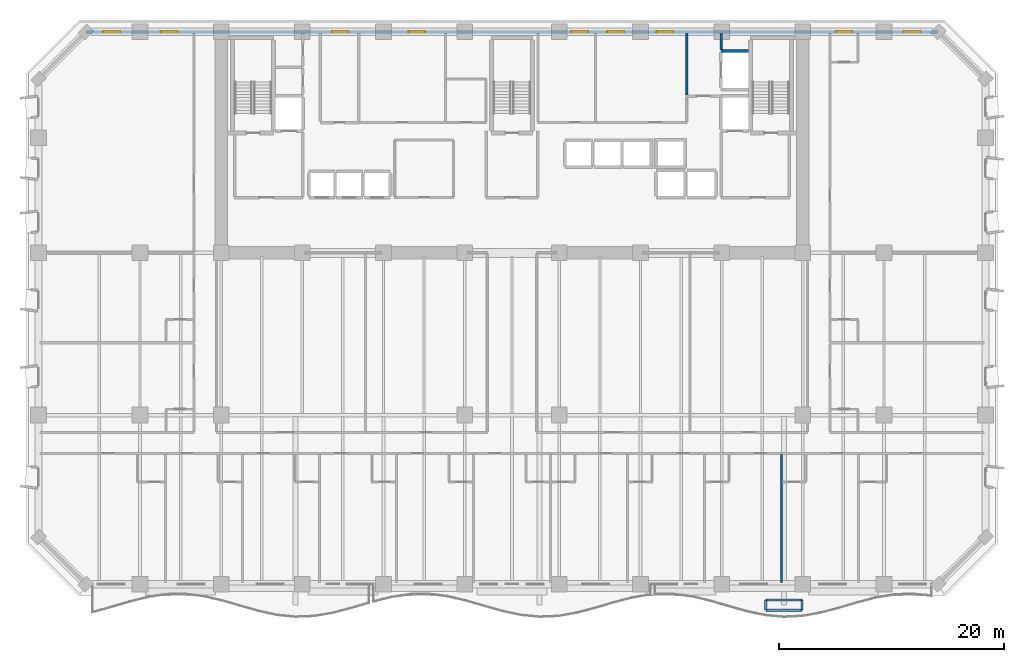
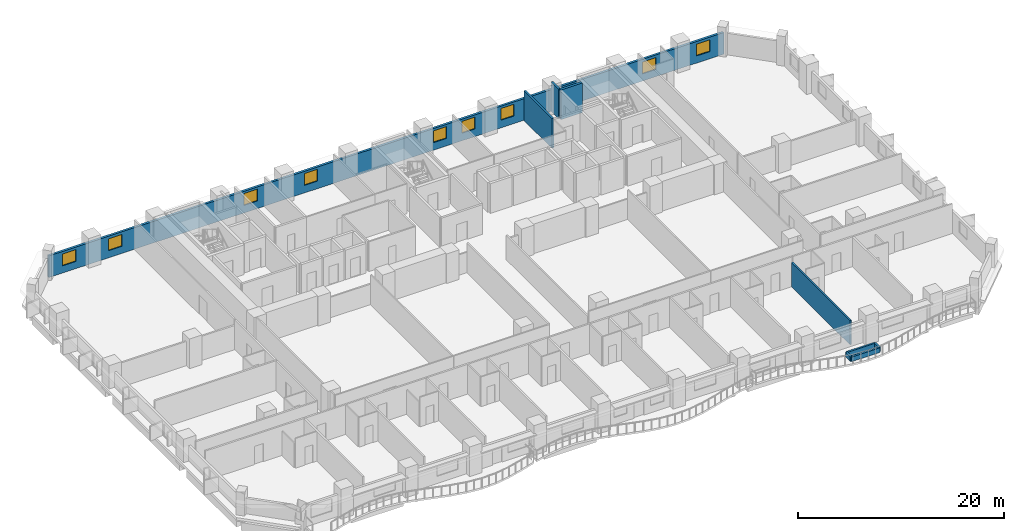
# One storey, part 9 of 15: 9 walls, 9 windows, 9 openings.
"""IFC4 building model written with IfcOpenShell, lengths in metres."""

from ifc_helpers import new_model, si_unit, direction, frame, frame_2d, origin, place, context, subcontext, project, spatial, rectangle, extrude, material, layer, layer_set, type_object, element, fill, save


model = new_model("IFC4")

# Units and contexts
model_context = context("Model", 3, precision=1e-05, world=origin(), true_north=direction((0.0, 1.0)))
body_context = subcontext(model_context, "Body", "Model", "MODEL_VIEW")
ifc_project = project(units=[si_unit("LENGTHUNIT", "METRE"), si_unit("AREAUNIT", "SQUARE_METRE"), si_unit("VOLUMEUNIT", "CUBIC_METRE"), si_unit("PLANEANGLEUNIT", "RADIAN"), si_unit("MASSUNIT", "GRAM", prefix="KILO")], contexts=[model_context])

# Site, building, storey
site_placement = place(None, origin())
site = spatial("IfcSite", under=ifc_project, at=site_placement, CompositionType="ELEMENT")
building_placement = place(site_placement, origin())
building = spatial("IfcBuilding", under=site, at=building_placement, Name="Kaelvorn Grand Hotel", CompositionType="ELEMENT")
storey_placement = place(building_placement, frame((0.0, 0.0, 50.14990234375)))
storey = spatial("IfcBuildingStorey", under=building, at=storey_placement, Name="L10", CompositionType="ELEMENT", Elevation=50.14990234375)

# Wall, openings, windows
ifc_material_1 = material(Name="Concrete C40/50", Category="concrete")
ifc_layer_1 = layer(ifc_material_1, 0.260009765625)
ifc_layer_set_1 = layer_set([ifc_layer_1], Name="Concrete C40/50")
wall_type_1 = type_object("IfcWallType", Name="WL-EXT-260-C40", PredefinedType="SOLIDWALL", material=ifc_layer_set_1)
wall_1_placement = place(storey_placement, frame((79.800048828125, 49.0, 0.0), z_axis=(0.0, 0.0, 1.0), x_axis=(-1.0, 0.0, 0.0)))
wall_1 = element("IfcWall", 1, at=wall_1_placement, inside=storey, type_object=wall_type_1, Name="L10 Exterior Architectural Concrete Wall 05", PredefinedType="SOLIDWALL", context=body_context, shape_type="SweptSolid", body=[
    extrude(rectangle(XDim=75.60009765625, YDim=0.260009765625, at=frame_2d((37.800048828125, 0.0))), origin(), (0.0, 0.0, 1.0), 2.56005859375),
])
opening_1_placement = place(wall_1_placement, frame((72.56494140625, 0.0, 0.85009765625)))
opening_1 = element("IfcOpeningElement", 2, at=opening_1_placement, cuts=wall_1, Name="Opening W10", PredefinedType="OPENING", context=body_context, shape_type="SweptSolid", body=[
    extrude(rectangle(XDim=1.5, YDim=1.39990234375, at=frame_2d((0.75, 0.699951171875))), frame((0.0, 0.14013671875, 0.0), z_axis=(0.0, -1.0, 0.0), x_axis=(1.0, 0.0, 0.0)), (0.0, 0.0, 1.0), 0.280029296875),
])
opening_2_placement = place(wall_1_placement, frame((67.449951171875, 0.0, 0.85009765625)))
opening_2 = element("IfcOpeningElement", 3, at=opening_2_placement, cuts=wall_1, Name="Opening W10", PredefinedType="OPENING", context=body_context, shape_type="SweptSolid", body=[
    extrude(rectangle(XDim=1.5, YDim=1.39990234375, at=frame_2d((0.75, 0.699951171875))), frame((0.0, 0.14013671875, 0.0), z_axis=(0.0, -1.0, 0.0), x_axis=(1.0, 0.0, 0.0)), (0.0, 0.0, 1.0), 0.280029296875),
])
opening_3_placement = place(wall_1_placement, frame((7.60009765625, 0.0, 0.85009765625)))
opening_3 = element("IfcOpeningElement", 4, at=opening_3_placement, cuts=wall_1, Name="Opening W10", PredefinedType="OPENING", context=body_context, shape_type="SweptSolid", body=[
    extrude(rectangle(XDim=1.5, YDim=1.39990234375, at=frame_2d((0.75, 0.699951171875))), frame((0.0, 0.14013671875, 0.0), z_axis=(0.0, -1.0, 0.0), x_axis=(1.0, 0.0, 0.0)), (0.0, 0.0, 1.0), 0.280029296875),
])
opening_4_placement = place(wall_1_placement, frame((1.534912109375, 0.0, 0.85009765625)))
opening_4 = element("IfcOpeningElement", 5, at=opening_4_placement, cuts=wall_1, Name="Opening W10", PredefinedType="OPENING", context=body_context, shape_type="SweptSolid", body=[
    extrude(rectangle(XDim=1.5, YDim=1.39990234375, at=frame_2d((0.75, 0.699951171875))), frame((0.0, 0.14013671875, 0.0), z_axis=(0.0, -1.0, 0.0), x_axis=(1.0, 0.0, 0.0)), (0.0, 0.0, 1.0), 0.280029296875),
])
opening_5_placement = place(wall_1_placement, frame((52.264892578125, 0.0, 0.89990234375)))
opening_5 = element("IfcOpeningElement", 6, at=opening_5_placement, cuts=wall_1, Name="Opening W10", PredefinedType="OPENING", context=body_context, shape_type="SweptSolid", body=[
    extrude(rectangle(XDim=1.5, YDim=1.39990234375, at=frame_2d((0.75, 0.699951171875))), frame((0.0, 0.14013671875, 0.0), z_axis=(0.0, -1.0, 0.0), x_axis=(1.0, 0.0, 0.0)), (0.0, 0.0, 1.0), 0.280029296875),
])
opening_6_placement = place(wall_1_placement, frame((45.5, 0.0, 0.89990234375)))
opening_6 = element("IfcOpeningElement", 7, at=opening_6_placement, cuts=wall_1, Name="Opening W10", PredefinedType="OPENING", context=body_context, shape_type="SweptSolid", body=[
    extrude(rectangle(XDim=1.5, YDim=1.39990234375, at=frame_2d((0.75, 0.699951171875))), frame((0.0, 0.14013671875, 0.0), z_axis=(0.0, -1.0, 0.0), x_axis=(1.0, 0.0, 0.0)), (0.0, 0.0, 1.0), 0.280029296875),
])
opening_7_placement = place(wall_1_placement, frame((31.050048828125, 0.0, 0.89990234375)))
opening_7 = element("IfcOpeningElement", 8, at=opening_7_placement, cuts=wall_1, Name="Opening W10", PredefinedType="OPENING", context=body_context, shape_type="SweptSolid", body=[
    extrude(rectangle(XDim=1.5, YDim=1.39990234375, at=frame_2d((0.75, 0.699951171875))), frame((0.0, 0.14013671875, 0.0), z_axis=(0.0, -1.0, 0.0), x_axis=(1.0, 0.0, 0.0)), (0.0, 0.0, 1.0), 0.280029296875),
])
opening_8_placement = place(wall_1_placement, frame((27.85009765625, 0.0, 0.89990234375)))
opening_8 = element("IfcOpeningElement", 9, at=opening_8_placement, cuts=wall_1, Name="Opening W10", PredefinedType="OPENING", context=body_context, shape_type="SweptSolid", body=[
    extrude(rectangle(XDim=1.5, YDim=1.39990234375, at=frame_2d((0.75, 0.699951171875))), frame((0.0, 0.14013671875, 0.0), z_axis=(0.0, -1.0, 0.0), x_axis=(1.0, 0.0, 0.0)), (0.0, 0.0, 1.0), 0.280029296875),
])
opening_9_placement = place(wall_1_placement, frame((23.485107421875, 0.0, 0.89990234375)))
opening_9 = element("IfcOpeningElement", 10, at=opening_9_placement, cuts=wall_1, Name="Opening W10", PredefinedType="OPENING", context=body_context, shape_type="SweptSolid", body=[
    extrude(rectangle(XDim=1.5, YDim=1.39990234375, at=frame_2d((0.75, 0.699951171875))), frame((0.0, 0.14013671875, 0.0), z_axis=(0.0, -1.0, 0.0), x_axis=(1.0, 0.0, 0.0)), (0.0, 0.0, 1.0), 0.280029296875),
])
ifc_material_2 = material(Name="Laminated Low-E Glass", Category="glass")
window_type = type_object("IfcWindowType", Name="WIN-COR-1500x1400", PartitioningType="SINGLE_PANEL", PredefinedType="WINDOW", material=ifc_material_2)
window_1_placement = place(opening_1_placement, origin())
window_1 = element("IfcWindow", 11, at=window_1_placement, inside=storey, type_object=window_type, Name="L10 North Wing Ribbon Window NW01", OverallHeight=1.39990234375, OverallWidth=1.5, PartitioningType="SINGLE_PANEL", PredefinedType="WINDOW", context=body_context, shape_type="SweptSolid", body=[
    extrude(rectangle(XDim=1.5, YDim=1.39990234375, at=frame_2d((0.75, 0.699951171875))), frame((0.0, 0.030029296875, 0.0), z_axis=(0.0, -1.0, 0.0), x_axis=(1.0, 0.0, 0.0)), (0.0, 0.0, 1.0), 0.06005859375),
])
fill(opening_1, window_1)
window_2_placement = place(opening_2_placement, origin())
window_2 = element("IfcWindow", 12, at=window_2_placement, inside=storey, type_object=window_type, Name="L10 North Wing Ribbon Window NW02", OverallHeight=1.39990234375, OverallWidth=1.5, PartitioningType="SINGLE_PANEL", PredefinedType="WINDOW", context=body_context, shape_type="SweptSolid", body=[
    extrude(rectangle(XDim=1.5, YDim=1.39990234375, at=frame_2d((0.75, 0.699951171875))), frame((0.0, 0.030029296875, 0.0), z_axis=(0.0, -1.0, 0.0), x_axis=(1.0, 0.0, 0.0)), (0.0, 0.0, 1.0), 0.06005859375),
])
fill(opening_2, window_2)
window_3_placement = place(opening_3_placement, origin())
window_3 = element("IfcWindow", 13, at=window_3_placement, inside=storey, type_object=window_type, Name="L10 North Wing Ribbon Window NW03", OverallHeight=1.39990234375, OverallWidth=1.5, PartitioningType="SINGLE_PANEL", PredefinedType="WINDOW", context=body_context, shape_type="SweptSolid", body=[
    extrude(rectangle(XDim=1.5, YDim=1.39990234375, at=frame_2d((0.75, 0.699951171875))), frame((0.0, 0.030029296875, 0.0), z_axis=(0.0, -1.0, 0.0), x_axis=(1.0, 0.0, 0.0)), (0.0, 0.0, 1.0), 0.06005859375),
])
fill(opening_3, window_3)
window_4_placement = place(opening_4_placement, origin())
window_4 = element("IfcWindow", 14, at=window_4_placement, inside=storey, type_object=window_type, Name="L10 North Wing Ribbon Window NW04", OverallHeight=1.39990234375, OverallWidth=1.5, PartitioningType="SINGLE_PANEL", PredefinedType="WINDOW", context=body_context, shape_type="SweptSolid", body=[
    extrude(rectangle(XDim=1.5, YDim=1.39990234375, at=frame_2d((0.75, 0.699951171875))), frame((0.0, 0.030029296875, 0.0), z_axis=(0.0, -1.0, 0.0), x_axis=(1.0, 0.0, 0.0)), (0.0, 0.0, 1.0), 0.06005859375),
])
fill(opening_4, window_4)
window_5_placement = place(opening_5_placement, origin())
window_5 = element("IfcWindow", 15, at=window_5_placement, inside=storey, type_object=window_type, Name="L10 North Core Clerestory Ribbon Window NC05", OverallHeight=1.39990234375, OverallWidth=1.5, PartitioningType="SINGLE_PANEL", PredefinedType="WINDOW", context=body_context, shape_type="SweptSolid", body=[
    extrude(rectangle(XDim=1.5, YDim=1.39990234375, at=frame_2d((0.75, 0.699951171875))), frame((0.0, 0.030029296875, 0.0), z_axis=(0.0, -1.0, 0.0), x_axis=(1.0, 0.0, 0.0)), (0.0, 0.0, 1.0), 0.06005859375),
])
fill(opening_5, window_5)
window_6_placement = place(opening_6_placement, origin())
window_6 = element("IfcWindow", 16, at=window_6_placement, inside=storey, type_object=window_type, Name="L10 North Core Clerestory Ribbon Window NC06", OverallHeight=1.39990234375, OverallWidth=1.5, PartitioningType="SINGLE_PANEL", PredefinedType="WINDOW", context=body_context, shape_type="SweptSolid", body=[
    extrude(rectangle(XDim=1.5, YDim=1.39990234375, at=frame_2d((0.75, 0.699951171875))), frame((0.0, 0.030029296875, 0.0), z_axis=(0.0, -1.0, 0.0), x_axis=(1.0, 0.0, 0.0)), (0.0, 0.0, 1.0), 0.06005859375),
])
fill(opening_6, window_6)
window_7_placement = place(opening_7_placement, origin())
window_7 = element("IfcWindow", 17, at=window_7_placement, inside=storey, type_object=window_type, Name="L10 North Core Clerestory Ribbon Window NC07", OverallHeight=1.39990234375, OverallWidth=1.5, PartitioningType="SINGLE_PANEL", PredefinedType="WINDOW", context=body_context, shape_type="SweptSolid", body=[
    extrude(rectangle(XDim=1.5, YDim=1.39990234375, at=frame_2d((0.75, 0.699951171875))), frame((0.0, 0.030029296875, 0.0), z_axis=(0.0, -1.0, 0.0), x_axis=(1.0, 0.0, 0.0)), (0.0, 0.0, 1.0), 0.06005859375),
])
fill(opening_7, window_7)
window_8_placement = place(opening_8_placement, origin())
window_8 = element("IfcWindow", 18, at=window_8_placement, inside=storey, type_object=window_type, Name="L10 North Core Clerestory Ribbon Window NC08", OverallHeight=1.39990234375, OverallWidth=1.5, PartitioningType="SINGLE_PANEL", PredefinedType="WINDOW", context=body_context, shape_type="SweptSolid", body=[
    extrude(rectangle(XDim=1.5, YDim=1.39990234375, at=frame_2d((0.75, 0.699951171875))), frame((0.0, 0.030029296875, 0.0), z_axis=(0.0, -1.0, 0.0), x_axis=(1.0, 0.0, 0.0)), (0.0, 0.0, 1.0), 0.06005859375),
])
fill(opening_8, window_8)
window_9_placement = place(opening_9_placement, origin())
window_9 = element("IfcWindow", 19, at=window_9_placement, inside=storey, type_object=window_type, Name="L10 North Core Clerestory Ribbon Window NC09", OverallHeight=1.39990234375, OverallWidth=1.5, PartitioningType="SINGLE_PANEL", PredefinedType="WINDOW", context=body_context, shape_type="SweptSolid", body=[
    extrude(rectangle(XDim=1.5, YDim=1.39990234375, at=frame_2d((0.75, 0.699951171875))), frame((0.0, 0.030029296875, 0.0), z_axis=(0.0, -1.0, 0.0), x_axis=(1.0, 0.0, 0.0)), (0.0, 0.0, 1.0), 0.06005859375),
])
fill(opening_9, window_9)

# Walls
ifc_material_3 = material(Name="Acoustic Gypsum & Stud Partition")
ifc_layer_2 = layer(ifc_material_3, 0.179931640625)
ifc_layer_set_2 = layer_set([ifc_layer_2], Name="Acoustic Gypsum & Stud Partition")
wall_type_2 = type_object("IfcWallType", Name="WL-PART-180-EI60", PredefinedType="PARTITIONING", material=ifc_layer_set_2)
wall_2_placement = place(storey_placement, frame((65.8955078125, 0.14990234375, 0.0), z_axis=(0.0, 0.0, 1.0), x_axis=(0.0, 1.0, 0.0)))
element("IfcWall", 20, at=wall_2_placement, inside=storey, type_object=wall_type_2, Name="L10 Deluxe Panoramic Suite L10-09 E Partition", PredefinedType="PARTITIONING", context=body_context, shape_type="SweptSolid", body=[
    extrude(rectangle(XDim=11.35498046875, YDim=0.179931640625, at=frame_2d((5.677490234375, 0.0))), origin(), (0.0, 0.0, 1.0), 2.880126953125),
])
ifc_layer_3 = layer(ifc_material_1, 0.219970703125)
ifc_layer_set_3 = layer_set([ifc_layer_3], Name="Concrete C40/50")
wall_type_3 = type_object("IfcWallType", Name="WL-PART-220-EI120", PredefinedType="PARTITIONING", material=ifc_layer_set_3)
wall_3_placement = place(storey_placement, frame((57.5, 43.4150390625, 0.0), z_axis=(0.0, 0.0, 1.0), x_axis=(0.0, 1.0, 0.0)))
element("IfcWall", 21, at=wall_3_placement, inside=storey, type_object=wall_type_3, Name="L10 Service Lift Lobby W Partition", PredefinedType="PARTITIONING", context=body_context, shape_type="SweptSolid", body=[
    extrude(rectangle(XDim=5.43505859375, YDim=0.219970703125, at=frame_2d((2.717529296875, 0.0))), origin(), (0.0, 0.0, 1.0), 3.510009765625),
])
wall_4_placement = place(storey_placement, frame((60.550048828125, 47.445068359375, 0.0), z_axis=(0.0, 0.0, 1.0), x_axis=(0.0, 1.0, 0.0)))
element("IfcWall", 22, at=wall_4_placement, inside=storey, type_object=wall_type_3, Name="L10 Service Lift Lobby E Partition", PredefinedType="PARTITIONING", context=body_context, shape_type="SweptSolid", body=[
    extrude(rectangle(XDim=1.405029296875, YDim=0.219970703125, at=frame_2d((0.70263671875, 0.0))), origin(), (0.0, 0.0, 1.0), 3.510009765625),
])
ifc_material_4 = material(Name="Concrete C50/60", Category="concrete")
ifc_layer_4 = layer(ifc_material_4, 0.280029296875)
ifc_layer_set_4 = layer_set([ifc_layer_4], Name="Concrete C50/60")
wall_type_4 = type_object("IfcWallType", Name="WL-SHAFT-280-C50", PredefinedType="SHEAR", material=ifc_layer_set_4)
wall_5_placement = place(storey_placement, frame((60.550048828125, 47.300048828125, 0.0), z_axis=(0.0, 0.0, 1.0), x_axis=(1.0, 0.0, 0.0)))
element("IfcWall", 23, at=wall_5_placement, inside=storey, type_object=wall_type_4, Name="L10 Lift SV1 Shaft North Wall", PredefinedType="SHEAR", context=body_context, shape_type="SweptSolid", body=[
    extrude(rectangle(XDim=2.4150390625, YDim=0.280029296875, at=frame_2d((1.20751953125, 0.0))), origin(), (0.0, 0.0, 1.0), 3.510009765625),
])
ifc_layer_5 = layer(ifc_material_1, 0.199951171875)
ifc_layer_set_5 = layer_set([ifc_layer_5], Name="Concrete C40/50")
wall_type_5 = type_object("IfcWallType", Name="WL-TREE-PLANTER-200", PredefinedType="PARAPET", material=ifc_layer_set_5)
wall_6_placement = place(storey_placement, frame((64.515625, -2.300048828125, 0.0), z_axis=(0.0, 0.0, 1.0), x_axis=(1.0, 0.0, 0.0)))
element("IfcWall", 24, at=wall_6_placement, inside=storey, type_object=wall_type_5, Name="L10 Planted Balcony Structural TREE PLANTER Kerb 1-S", PredefinedType="PARAPET", context=body_context, shape_type="SweptSolid", body=[
    extrude(rectangle(XDim=3.199951171875, YDim=0.199951171875, at=frame_2d((1.60009765625, 0.0))), origin(), (0.0, 0.0, 1.0), 0.550048828125),
])
wall_7_placement = place(storey_placement, frame((67.715576171875, -2.300048828125, 0.0), z_axis=(0.0, 0.0, 1.0), x_axis=(0.0, 1.0, 0.0)))
element("IfcWall", 25, at=wall_7_placement, inside=storey, type_object=wall_type_5, Name="L10 Planted Balcony Structural TREE PLANTER Kerb 1-E", PredefinedType="PARAPET", context=body_context, shape_type="SweptSolid", body=[
    extrude(rectangle(XDim=0.900146484375, YDim=0.199951171875, at=frame_2d((0.4501953125, 0.0))), origin(), (0.0, 0.0, 1.0), 0.550048828125),
])
wall_8_placement = place(storey_placement, frame((67.715576171875, -1.39990234375, 0.0), z_axis=(0.0, 0.0, 1.0), x_axis=(-1.0, 0.0, 0.0)))
element("IfcWall", 26, at=wall_8_placement, inside=storey, type_object=wall_type_5, Name="L10 Planted Balcony Structural TREE PLANTER Kerb 1-N", PredefinedType="PARAPET", context=body_context, shape_type="SweptSolid", body=[
    extrude(rectangle(XDim=3.199951171875, YDim=0.199951171875, at=frame_2d((1.60009765625, 0.0))), origin(), (0.0, 0.0, 1.0), 0.550048828125),
])
wall_9_placement = place(storey_placement, frame((64.515625, -1.39990234375, 0.0), z_axis=(0.0, 0.0, 1.0), x_axis=(0.0, -1.0, 0.0)))
element("IfcWall", 27, at=wall_9_placement, inside=storey, type_object=wall_type_5, Name="L10 Planted Balcony Structural TREE PLANTER Kerb 1-W", PredefinedType="PARAPET", context=body_context, shape_type="SweptSolid", body=[
    extrude(rectangle(XDim=0.900146484375, YDim=0.199951171875, at=frame_2d((0.4501953125, 0.0))), origin(), (0.0, 0.0, 1.0), 0.550048828125),
])

save(model, "model.ifc")
